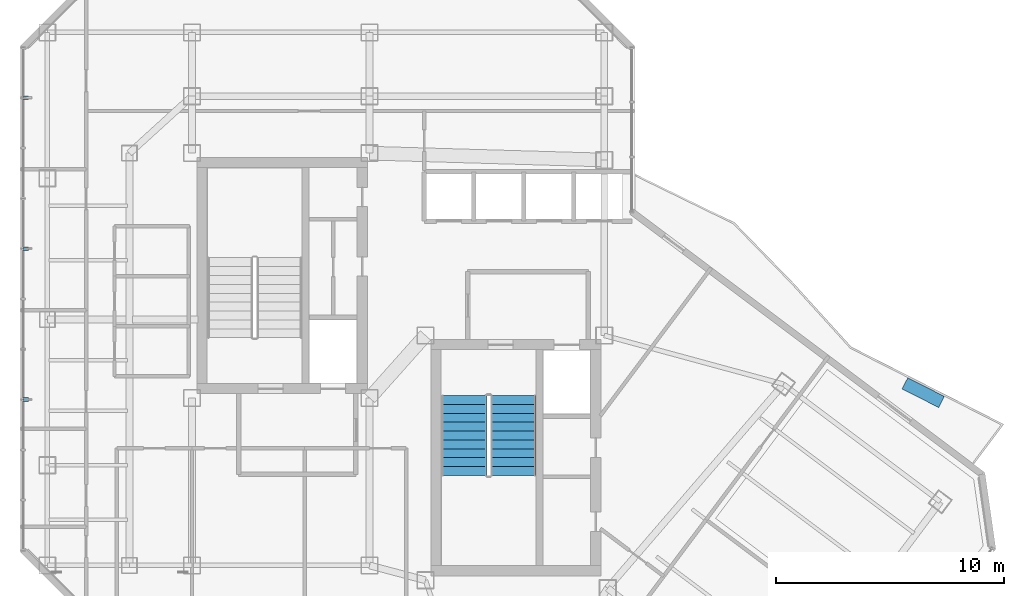
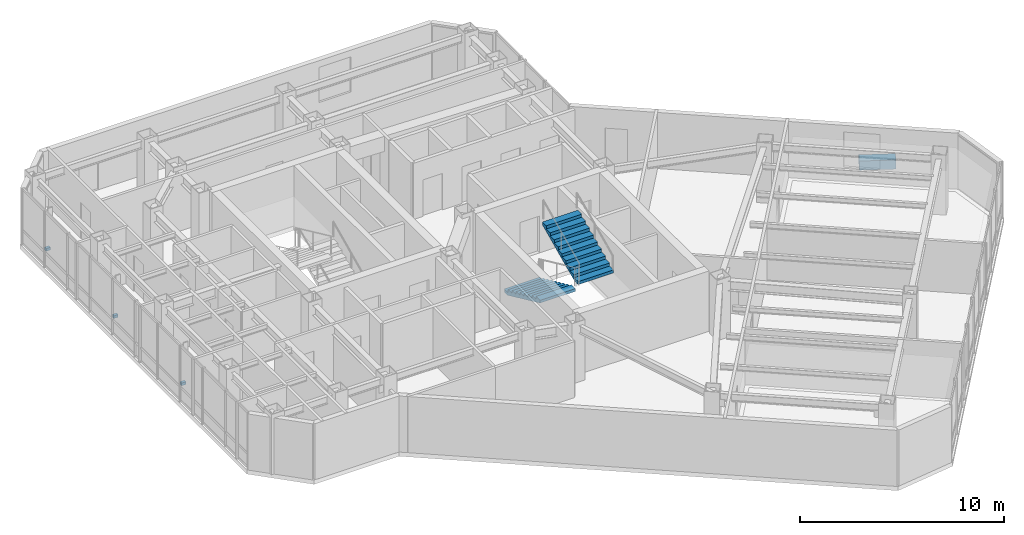
# One storey, part 22 of 26: 4 discrete accessories, 2 stair flights, 1 element without a shape of its own.
"""IFC4 building model written with IfcOpenShell, lengths in metres."""

from ifc_helpers import new_model, si_unit, direction, frame, origin, origin_2d, place, context, subcontext, project, spatial, polyline, rectangle, outline, extrude, material, type_object, element, aggregate, save


model = new_model("IFC4")

# Units and contexts
model_context = context("Model", 3, precision=1e-05, world=origin(), true_north=direction((0.0, 1.0)))
body_context = subcontext(model_context, "Body", "Model", "MODEL_VIEW")
ifc_project = project(units=[si_unit("LENGTHUNIT", "METRE"), si_unit("AREAUNIT", "SQUARE_METRE"), si_unit("VOLUMEUNIT", "CUBIC_METRE"), si_unit("PLANEANGLEUNIT", "RADIAN"), si_unit("MASSUNIT", "GRAM", prefix="KILO")], contexts=[model_context])

# Site, building, storey
site_placement = place(None, origin())
site = spatial("IfcSite", under=ifc_project, at=site_placement, CompositionType="ELEMENT")
building_placement = place(site_placement, origin())
building = spatial("IfcBuilding", under=site, at=building_placement, Name="Hatsunagi Terrace Concourse", CompositionType="ELEMENT")
storey_placement = place(building_placement, frame((0.0, 0.0, 198.75)))
storey = spatial("IfcBuildingStorey", under=building, at=storey_placement, Name="L52", CompositionType="ELEMENT", Elevation=198.75)

# Stair, stair flights
ifc_material_1 = material(Name="Concrete Fc42", Category="concrete")
stair_type = type_object("IfcStairType", Name="DoglegExitStair_Tower2000_20R_180", PredefinedType="HALF_TURN_STAIR", material=ifc_material_1)
stair_placement = place(storey_placement, origin())
stair = element("IfcStair", 1, at=stair_placement, inside=storey, type_object=stair_type, Name="L52 Core B Protected Exit Stair ST-B", PredefinedType="HALF_TURN_STAIR")
ifc_material_2 = material(Name="Concrete Fc42", Category="concrete")
stair_flight_type = type_object("IfcStairFlightType", Name="DoglegStairFlight_Tower2000_20R_180", PredefinedType="STRAIGHT", material=ifc_material_2)
stair_flight_1_placement = place(storey_placement, frame((37.5, 32.659912109375, 0.0), z_axis=(0.0, 0.0, 1.0), x_axis=(0.0, -1.0, 0.0)))
stair_flight_1 = element("IfcStairFlight", 2, at=stair_flight_1_placement, type_object=stair_flight_type, Name="ST-B flight 1", NumberOfRisers=10, NumberOfTreads=9, PredefinedType="STRAIGHT", RiserHeight=0.18, TreadLength=0.39, context=body_context, shape_type="SweptSolid", body=[
    extrude(outline(polyline([(0.0, 0.0), (0.0, 0.179931640625), (0.389892578125, 0.179931640625), (0.389892578125, 0.360107421875), (0.780029296875, 0.360107421875), (0.780029296875, 0.5400390625), (1.169921875, 0.5400390625), (1.169921875, 0.719970703125), (1.56005859375, 0.719970703125), (1.56005859375, 0.89990234375), (1.949951171875, 0.89990234375), (1.949951171875, 1.080078125), (2.340087890625, 1.080078125), (2.340087890625, 1.260009765625), (2.72998046875, 1.260009765625), (2.72998046875, 1.43994140625), (3.1201171875, 1.43994140625), (3.1201171875, 1.6201171875), (3.510009765625, 1.6201171875), (3.510009765625, 1.800048828125), (3.510009765625, 1.454833984375), (0.357666015625, 0.0), (0.0, 0.0)])), frame((0.0, 1.0, 0.0), z_axis=(0.0, -1.0, 0.0), x_axis=(1.0, 0.0, 0.0)), (0.0, 0.0, 1.0), 2.0),
])
stair_flight_2_placement = place(storey_placement, frame((39.64990234375, 29.14990234375, 1.800048828125), z_axis=(0.0, 0.0, 1.0), x_axis=(0.0, 1.0, 0.0)))
stair_flight_2 = element("IfcStairFlight", 3, at=stair_flight_2_placement, type_object=stair_flight_type, Name="ST-B flight 2", NumberOfRisers=10, NumberOfTreads=9, PredefinedType="STRAIGHT", RiserHeight=0.18, TreadLength=0.39, context=body_context, shape_type="SweptSolid", body=[
    extrude(outline(polyline([(0.0, 0.0), (0.0, 0.179931640625), (0.389892578125, 0.179931640625), (0.389892578125, 0.360107421875), (0.780029296875, 0.360107421875), (0.780029296875, 0.5400390625), (1.169921875, 0.5400390625), (1.169921875, 0.719970703125), (1.56005859375, 0.719970703125), (1.56005859375, 0.89990234375), (1.949951171875, 0.89990234375), (1.949951171875, 1.080078125), (2.340087890625, 1.080078125), (2.340087890625, 1.260009765625), (2.72998046875, 1.260009765625), (2.72998046875, 1.43994140625), (3.1201171875, 1.43994140625), (3.1201171875, 1.6201171875), (3.510009765625, 1.6201171875), (3.510009765625, 1.800048828125), (3.510009765625, 1.454833984375), (0.357666015625, 0.0), (0.0, 0.0)])), frame((0.0, 1.0, 0.0), z_axis=(0.0, -1.0, 0.0), x_axis=(1.0, 0.0, 0.0)), (0.0, 0.0, 1.0), 2.0),
])
aggregate(stair, [stair_flight_1, stair_flight_2])

# Discrete accessories
ifc_material_3 = material(Name="Stainless Steel SUS316 Bracket", Category="steel")
discrete_accessory_type_1 = type_object("IfcDiscreteAccessoryType", Name="FacadeScreenSupportBracket_SS", PredefinedType="BRACKET", material=ifc_material_3)
for number, where, z_axis, x_axis, name in (
    (4, (18.25, 32.48291015625, 0.97021484375), (0.0, 0.0, 1.0), (0.0, 1.0, 0.0), "Terracotta Screen Bracket BRK-01"),
    (5, (18.25, 39.10791015625, 0.97021484375), (0.0, 0.0, 1.0), (0.0, 1.0, 0.0), "Terracotta Screen Bracket BRK-01"),
    (6, (18.25, 45.73388671875, 0.97021484375), (0.0, 0.0, 1.0), (0.0, 1.0, 0.0), "Terracotta Screen Bracket BRK-01"),
):
    element("IfcDiscreteAccessory", number, at=place(storey_placement, frame(where, z_axis=z_axis, x_axis=x_axis)), inside=storey, type_object=discrete_accessory_type_1, Name=name, PredefinedType="BRACKET", context=body_context, shape_type="SweptSolid", body=[
        extrude(rectangle(XDim=0.159912109375, YDim=0.239990234375, at=origin_2d()), origin(), (0.0, 0.0, 1.0), 0.159912109375),
    ])
ifc_material_4 = material(Name="Architectural Precast Terracotta Planter", Category="masonry")
discrete_accessory_type_2 = type_object("IfcDiscreteAccessoryType", Name="SkyGardenPlanterEdge_450", PredefinedType="USERDEFINED", material=ifc_material_4)
discrete_accessory_placement = place(storey_placement, frame((57.652099609375, 32.785888671875, 0.0), z_axis=(0.0, 0.0, 1.0), x_axis=(0.89167115123, -0.452683728518, 0.0)))
element("IfcDiscreteAccessory", 7, at=discrete_accessory_placement, inside=storey, type_object=discrete_accessory_type_2, Name="Balcony Greenery Planter L52-BSE", ObjectType="PLANTER", PredefinedType="USERDEFINED", context=body_context, shape_type="SweptSolid", body=[
    extrude(rectangle(XDim=1.800048828125, YDim=0.550048828125, at=origin_2d()), origin(), (0.0, 0.0, 1.0), 0.550048828125),
])

save(model, "model.ifc")
